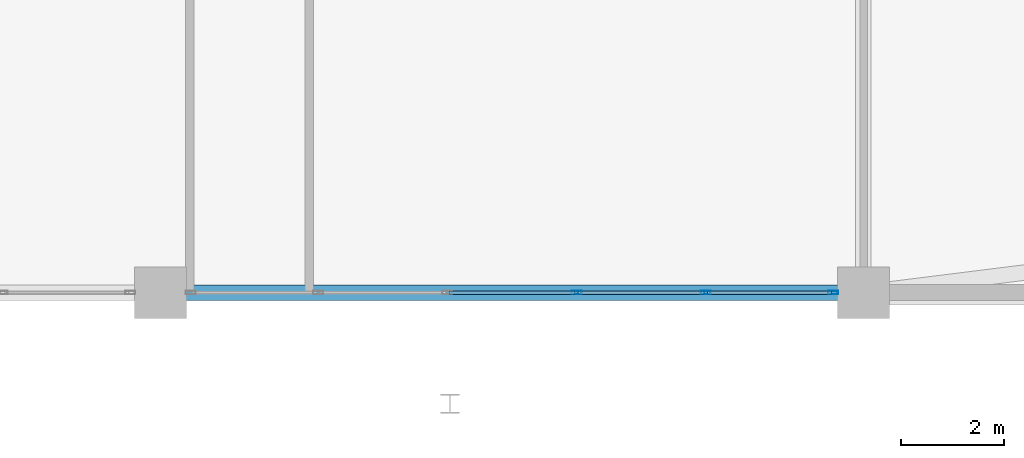
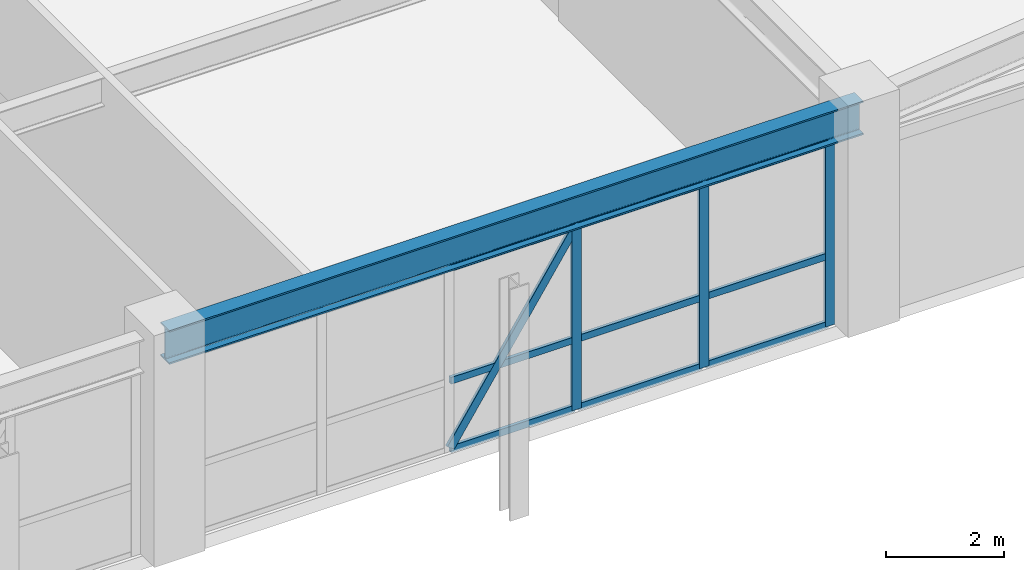
# One storey, part 10 of 48: 13 members, 1 beam, 1 element without a shape of its own.
"""IFC4 building model written with IfcOpenShell, lengths in metres."""

from ifc_helpers import new_model, si_unit, derived_unit, direction, frame, origin, origin_2d, place, context, subcontext, project, spatial, hollow_rectangle, i_section, extrude, source, transform, mapped, material, layer, layer_set, material_profile, profile_set, type_object, element, aggregate, save


model = new_model("IFC4")

# Units and contexts
model_context = context("Model", 3, precision=1e-05, world=origin(), true_north=direction((0.0, 1.0)))
body_context = subcontext(model_context, "Body", "Model", "MODEL_VIEW")
ifc_project = project(units=[si_unit("LENGTHUNIT", "METRE"), si_unit("AREAUNIT", "SQUARE_METRE"), si_unit("VOLUMEUNIT", "CUBIC_METRE"), si_unit("PLANEANGLEUNIT", "RADIAN"), si_unit("MASSUNIT", "GRAM", prefix="KILO"), derived_unit("THERMALTRANSMITTANCEUNIT", [(si_unit("POWERUNIT", "WATT"), 1), (si_unit("LENGTHUNIT", "METRE"), -2), (si_unit("THERMODYNAMICTEMPERATUREUNIT", "KELVIN"), -1)])], contexts=[model_context])

# Site, building, storey
site_placement = place(None, origin())
site = spatial("IfcSite", under=ifc_project, at=site_placement, CompositionType="ELEMENT")
building_placement = place(site_placement, origin())
building = spatial("IfcBuilding", under=site, at=building_placement, Name="Korsvarv Bourse and Concert Hall", CompositionType="ELEMENT")
storey_placement = place(building_placement, frame((0.0, 0.0, 4.800048828125)))
storey = spatial("IfcBuildingStorey", under=building, at=storey_placement, Name="L01", CompositionType="ELEMENT", Elevation=4.800048828125)

# Beam
ifc_material_1 = material(Name="Steel S355", Category="steel")
ifc_material_profile_1 = material_profile(ifc_material_1, i_section(OverallWidth=0.300048828125, OverallDepth=0.699951171875, WebThickness=0.01708984375, FlangeThickness=0.031982421875, FilletRadius=0.027099609375, at=origin_2d()), Name="HEB 700")
ifc_profile_set_1 = profile_set([ifc_material_profile_1], Name="Steel S355")
beam_type = type_object("IfcBeamType", Name="BM-HEB700", PredefinedType="BEAM", material=ifc_profile_set_1)
shared_shape_1 = source(origin(), body_context, "Body", "SweptSolid", [
    extrude(i_section(OverallWidth=0.300048828125, OverallDepth=0.699951171875, WebThickness=0.01708984375, FlangeThickness=0.031982421875, FilletRadius=0.027099609375, at=origin_2d()), origin(), (0.0, 0.0, 1.0), 13.60009765625),
])
beam_placement = place(storey_placement, frame((44.39990234375, 3.0, 4.169921875), z_axis=(1.0, 0.0, 0.0), x_axis=(0.0, 1.0, 0.0)))
element("IfcBeam", 1, at=beam_placement, inside=storey, type_object=beam_type, Name="L01 beam B-03", PredefinedType="BEAM", context=body_context, shape_type="MappedRepresentation", body=[
    mapped(shared_shape_1, transform((0.0, 0.0, 0.0), scale=1.0)),
])

# Curtain wall, members
ifc_material_2 = material(Name="Anodised aluminium and triple low-E glazing", Category="glass")
ifc_layer = layer(ifc_material_2, 0.239990234375)
ifc_layer_set = layer_set([ifc_layer], Name="Anodised aluminium and triple low-E glazing")
curtain_wall_type = type_object("IfcCurtainWallType", Name="CW-SYS-5", PredefinedType="NOTDEFINED", material=ifc_layer_set)
curtain_wall_placement = place(storey_placement, origin())
curtain_wall = element("IfcCurtainWall", 2, at=curtain_wall_placement, inside=storey, type_object=curtain_wall_type, Name="L01 CW5 curtain wall CW-L01-S5", PredefinedType="NOTDEFINED")
ifc_material_3 = material(Name="Extruded aluminium EN AW-6063 T66", Category="aluminium")
ifc_material_profile_2 = material_profile(ifc_material_3, hollow_rectangle(XDim=0.070068359375, YDim=0.18994140625, WallThickness=0.0048828125, at=origin_2d()), Name="ALU-M 70x190")
ifc_profile_set_2 = profile_set([ifc_material_profile_2], Name="Extruded aluminium EN AW-6063 T66")
member_type_1 = type_object("IfcMemberType", Name="CWM-190", PredefinedType="MULLION", material=ifc_profile_set_2)
shared_shape_2 = source(origin(), body_context, "Body", "SweptSolid", [
    extrude(hollow_rectangle(XDim=0.070068359375, YDim=0.18994140625, WallThickness=0.0048828125, at=origin_2d()), origin(), (0.0, 0.0, 1.0), 3.820068359375),
])
member_1_placement = place(storey_placement, frame((52.449951171875, 3.0, 0.0), z_axis=(0.0, 0.0, 1.0), x_axis=(0.0, 1.0, 0.0)))
member_1 = element("IfcMember", 3, at=member_1_placement, type_object=member_type_1, Name="CW5 mullion 4", PredefinedType="MULLION", context=body_context, shape_type="MappedRepresentation", body=[
    mapped(shared_shape_2, transform((0.0, 0.0, 0.0), scale=1.0)),
])
member_2_placement = place(storey_placement, frame((54.949951171875, 3.0, 0.0), z_axis=(0.0, 0.0, 1.0), x_axis=(0.0, 1.0, 0.0)))
member_2 = element("IfcMember", 4, at=member_2_placement, type_object=member_type_1, Name="CW5 mullion 5", PredefinedType="MULLION", context=body_context, shape_type="MappedRepresentation", body=[
    mapped(shared_shape_2, transform((0.0, 0.0, 0.0), scale=1.0)),
])
member_3_placement = place(storey_placement, frame((57.4150390625, 3.0, 0.0), z_axis=(0.0, 0.0, 1.0), x_axis=(0.0, 1.0, 0.0)))
member_3 = element("IfcMember", 5, at=member_3_placement, type_object=member_type_1, Name="CW5 mullion 6", PredefinedType="MULLION", context=body_context, shape_type="MappedRepresentation", body=[
    mapped(shared_shape_2, transform((0.0, 0.0, 0.0), scale=1.0)),
])
ifc_material_profile_3 = material_profile(ifc_material_3, hollow_rectangle(XDim=0.06494140625, YDim=0.139892578125, WallThickness=0.00390625, at=origin_2d()), Name="ALU-T 65x140")
ifc_profile_set_3 = profile_set([ifc_material_profile_3], Name="Extruded aluminium EN AW-6063 T66")
member_type_2 = type_object("IfcMemberType", Name="CWT-140", PredefinedType="USERDEFINED", material=ifc_profile_set_3)
shared_shape_3 = source(origin(), body_context, "Body", "SweptSolid", [
    extrude(hollow_rectangle(XDim=0.06494140625, YDim=0.139892578125, WallThickness=0.00390625, at=origin_2d()), origin(), (0.0, 0.0, 1.0), 2.394775390625),
])
member_4_placement = place(storey_placement, frame((54.985107421875, 3.0, 0.032470703125), z_axis=(1.0, 0.0, 0.0), x_axis=(0.0, 1.0, 0.0)))
member_4 = element("IfcMember", 6, at=member_4_placement, type_object=member_type_2, Name="CW5 transom 5.1", ObjectType="TRANSOM", PredefinedType="USERDEFINED", context=body_context, shape_type="MappedRepresentation", body=[
    mapped(shared_shape_3, transform((0.0, 0.0, 0.0), scale=1.0)),
])
member_5_placement = place(storey_placement, frame((54.985107421875, 3.0, 1.45166015625), z_axis=(1.0, 0.0, 0.0), x_axis=(0.0, 1.0, 0.0)))
member_5 = element("IfcMember", 7, at=member_5_placement, type_object=member_type_2, Name="CW5 transom 5.2", ObjectType="TRANSOM", PredefinedType="USERDEFINED", context=body_context, shape_type="MappedRepresentation", body=[
    mapped(shared_shape_3, transform((0.0, 0.0, 0.0), scale=1.0)),
])
member_6_placement = place(storey_placement, frame((54.985107421875, 3.0, 3.787353515625), z_axis=(1.0, 0.0, 0.0), x_axis=(0.0, 1.0, 0.0)))
member_6 = element("IfcMember", 8, at=member_6_placement, type_object=member_type_2, Name="CW5 transom 5.3", ObjectType="TRANSOM", PredefinedType="USERDEFINED", context=body_context, shape_type="MappedRepresentation", body=[
    mapped(shared_shape_3, transform((0.0, 0.0, 0.0), scale=1.0)),
])
shared_shape_4 = source(origin(), body_context, "Body", "SweptSolid", [
    extrude(hollow_rectangle(XDim=0.06494140625, YDim=0.139892578125, WallThickness=0.00390625, at=origin_2d()), origin(), (0.0, 0.0, 1.0), 2.429931640625),
])
member_7_placement = place(storey_placement, frame((49.985107421875, 3.0, 0.032470703125), z_axis=(1.0, 0.0, 0.0), x_axis=(0.0, 1.0, 0.0)))
member_7 = element("IfcMember", 9, at=member_7_placement, type_object=member_type_2, Name="CW5 transom 3.1", ObjectType="TRANSOM", PredefinedType="USERDEFINED", context=body_context, shape_type="MappedRepresentation", body=[
    mapped(shared_shape_4, transform((0.0, 0.0, 0.0), scale=1.0)),
])
member_8_placement = place(storey_placement, frame((49.985107421875, 3.0, 1.45166015625), z_axis=(1.0, 0.0, 0.0), x_axis=(0.0, 1.0, 0.0)))
member_8 = element("IfcMember", 10, at=member_8_placement, type_object=member_type_2, Name="CW5 transom 3.2", ObjectType="TRANSOM", PredefinedType="USERDEFINED", context=body_context, shape_type="MappedRepresentation", body=[
    mapped(shared_shape_4, transform((0.0, 0.0, 0.0), scale=1.0)),
])
member_9_placement = place(storey_placement, frame((49.985107421875, 3.0, 3.787353515625), z_axis=(1.0, 0.0, 0.0), x_axis=(0.0, 1.0, 0.0)))
member_9 = element("IfcMember", 11, at=member_9_placement, type_object=member_type_2, Name="CW5 transom 3.3", ObjectType="TRANSOM", PredefinedType="USERDEFINED", context=body_context, shape_type="MappedRepresentation", body=[
    mapped(shared_shape_4, transform((0.0, 0.0, 0.0), scale=1.0)),
])
member_10_placement = place(storey_placement, frame((52.485107421875, 3.0, 0.032470703125), z_axis=(1.0, 0.0, 0.0), x_axis=(0.0, 1.0, 0.0)))
member_10 = element("IfcMember", 12, at=member_10_placement, type_object=member_type_2, Name="CW5 transom 4.1", ObjectType="TRANSOM", PredefinedType="USERDEFINED", context=body_context, shape_type="MappedRepresentation", body=[
    mapped(shared_shape_4, transform((0.0, 0.0, 0.0), scale=1.0)),
])
member_11_placement = place(storey_placement, frame((52.485107421875, 3.0, 1.45166015625), z_axis=(1.0, 0.0, 0.0), x_axis=(0.0, 1.0, 0.0)))
member_11 = element("IfcMember", 13, at=member_11_placement, type_object=member_type_2, Name="CW5 transom 4.2", ObjectType="TRANSOM", PredefinedType="USERDEFINED", context=body_context, shape_type="MappedRepresentation", body=[
    mapped(shared_shape_4, transform((0.0, 0.0, 0.0), scale=1.0)),
])
member_12_placement = place(storey_placement, frame((52.485107421875, 3.0, 3.787353515625), z_axis=(1.0, 0.0, 0.0), x_axis=(0.0, 1.0, 0.0)))
member_12 = element("IfcMember", 14, at=member_12_placement, type_object=member_type_2, Name="CW5 transom 4.3", ObjectType="TRANSOM", PredefinedType="USERDEFINED", context=body_context, shape_type="MappedRepresentation", body=[
    mapped(shared_shape_4, transform((0.0, 0.0, 0.0), scale=1.0)),
])
ifc_material_profile_4 = material_profile(ifc_material_3, hollow_rectangle(XDim=0.06494140625, YDim=0.1650390625, WallThickness=0.0048828125, at=origin_2d()), Name="ALU-M 65x165")
ifc_profile_set_4 = profile_set([ifc_material_profile_4], Name="Extruded aluminium EN AW-6063 T66")
member_type_3 = type_object("IfcMemberType", Name="CWM-165", PredefinedType="MULLION", material=ifc_profile_set_4)
shared_shape_5 = source(origin(), body_context, "Body", "SweptSolid", [
    extrude(hollow_rectangle(XDim=0.06494140625, YDim=0.1650390625, WallThickness=0.0048828125, at=origin_2d()), origin(), (0.0, 0.0, 1.0), 4.418212890625),
])
member_13_placement = place(storey_placement, frame((49.985107421875, 3.0, 0.06494140625), z_axis=(0.549985869112, 0.0, 0.835173960189), x_axis=(0.0, 1.0, 0.0)))
member_13 = element("IfcMember", 15, at=member_13_placement, type_object=member_type_3, Name="CW5 diagonal mullion 3", PredefinedType="MULLION", context=body_context, shape_type="MappedRepresentation", body=[
    mapped(shared_shape_5, transform((0.0, 0.0, 0.0), scale=1.0)),
])
aggregate(curtain_wall, [member_1, member_2, member_3, member_7, member_8, member_9, member_13, member_10, member_11, member_12, member_4, member_5, member_6])

save(model, "model.ifc")
